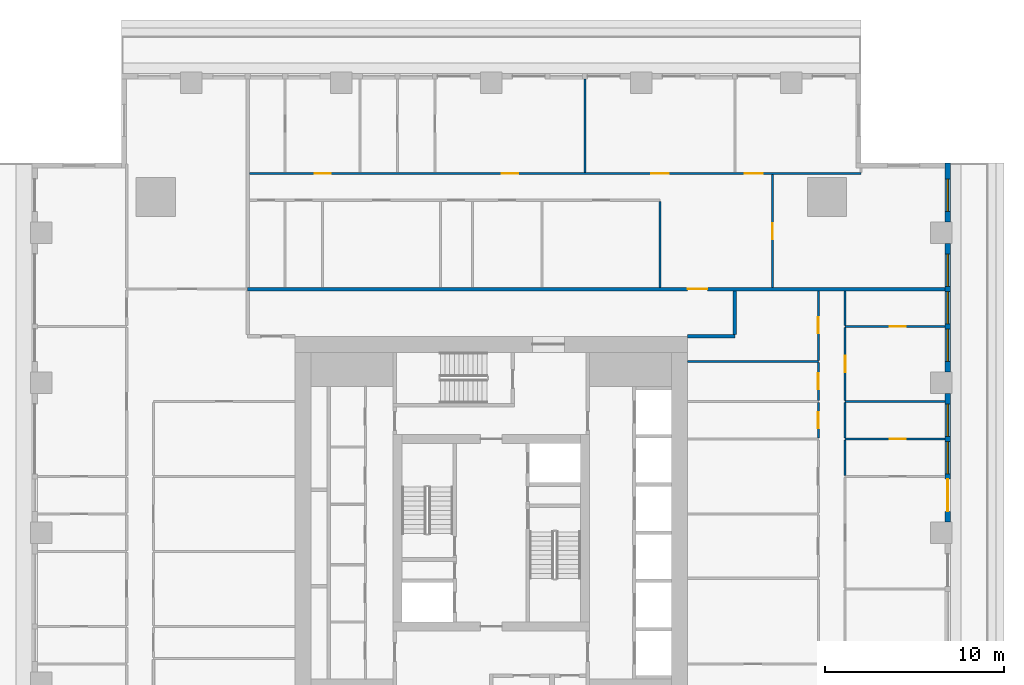
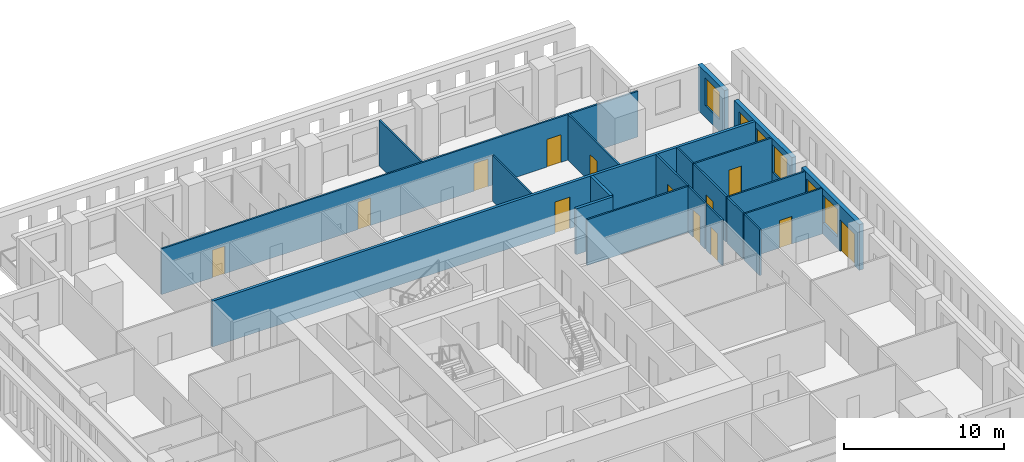
# One storey, part 8 of 14: 21 walls, 13 doors, 6 windows, 19 openings.
"""IFC4 building model written with IfcOpenShell, lengths in metres."""

from ifc_helpers import new_model, si_unit, direction, frame, frame_2d, origin, place, context, subcontext, project, spatial, rectangle, extrude, material, layer, layer_set, type_object, element, fill, save


model = new_model("IFC4")

# Units and contexts
model_context = context("Model", 3, precision=1e-05, world=origin(), true_north=direction((0.0, 1.0)))
body_context = subcontext(model_context, "Body", "Model", "MODEL_VIEW")
ifc_project = project(units=[si_unit("LENGTHUNIT", "METRE"), si_unit("AREAUNIT", "SQUARE_METRE"), si_unit("VOLUMEUNIT", "CUBIC_METRE"), si_unit("PLANEANGLEUNIT", "RADIAN"), si_unit("MASSUNIT", "GRAM", prefix="KILO")], contexts=[model_context])

# Site, building, storey
site_placement = place(None, origin())
site = spatial("IfcSite", under=ifc_project, at=site_placement, CompositionType="ELEMENT")
building_placement = place(site_placement, origin())
building = spatial("IfcBuilding", under=site, at=building_placement, Name="Khepri Terraces", CompositionType="ELEMENT")
storey_placement = place(building_placement, frame((0.0, 0.0, 267.89990234375)))
storey = spatial("IfcBuildingStorey", under=building, at=storey_placement, Name="L64", CompositionType="ELEMENT", Elevation=267.89990234375)

# Walls
ifc_material_1 = material(Name="Fire-rated gypsum plasterboard partition, mineral wool")
ifc_layer_1 = layer(ifc_material_1, 0.199951171875, Name="Fire-rated gypsum plasterboard partition, mineral wool")
ifc_layer_set_1 = layer_set([ifc_layer_1], Name="Fire-rated gypsum plasterboard partition, mineral wool")
wall_type_1 = type_object("IfcWallType", Name="WL-CORR-200", PredefinedType="PARTITIONING", material=ifc_layer_set_1)
wall_1_placement = place(storey_placement, frame((11.0, 11.0, 0.0), z_axis=(0.0, 0.0, 1.0), x_axis=(1.0, 0.0, 0.0)))
element("IfcWall", 1, at=wall_1_placement, inside=storey, type_object=wall_type_1, Name="Partition P-073 L64", PredefinedType="PARTITIONING", context=body_context, shape_type="SweptSolid", body=[
    extrude(rectangle(XDim=2.64990234375, YDim=0.199951171875, at=frame_2d((1.324951171875, 0.0))), origin(), (0.0, 0.0, 1.0), 3.47998046875),
])
wall_2_placement = place(storey_placement, frame((13.64990234375, 11.10009765625, 0.0), z_axis=(0.0, 0.0, 1.0), x_axis=(0.0, 1.0, 0.0)))
element("IfcWall", 2, at=wall_2_placement, inside=storey, type_object=wall_type_1, Name="Partition P-075 L64", PredefinedType="PARTITIONING", context=body_context, shape_type="SweptSolid", body=[
    extrude(rectangle(XDim=2.449951171875, YDim=0.199951171875, at=frame_2d((1.22509765625, 0.0))), origin(), (0.0, 0.0, 1.0), 3.47998046875),
])

# Wall, opening, door
wall_3_placement = place(storey_placement, frame((-13.64990234375, 13.64990234375, 0.0), z_axis=(0.0, 0.0, 1.0), x_axis=(1.0, 0.0, 0.0)))
wall_3 = element("IfcWall", 3, at=wall_3_placement, inside=storey, type_object=wall_type_1, Name="Partition P-081 L64", PredefinedType="PARTITIONING", context=body_context, shape_type="SweptSolid", body=[
    extrude(rectangle(XDim=39.06982421875, YDim=0.199951171875, at=frame_2d((19.534912109375, 0.0))), origin(), (0.0, 0.0, 1.0), 3.47998046875),
])
opening_1_placement = place(wall_3_placement, frame((24.64990234375, 0.0, 0.0)))
opening_1 = element("IfcOpeningElement", 4, at=opening_1_placement, cuts=wall_3, Name="Opening D1", PredefinedType="OPENING", context=body_context, shape_type="SweptSolid", body=[
    extrude(rectangle(XDim=1.10009765625, YDim=2.39990234375, at=frame_2d((0.550048828125, 1.199951171875))), frame((0.0, 0.10986328125, 0.0), z_axis=(0.0, -1.0, 0.0), x_axis=(1.0, 0.0, 0.0)), (0.0, 0.0, 1.0), 0.219970703125),
])
ifc_material_2 = material(Name="Solid-core timber door leaf, flat entrance door", Category="wood")
door_type_1 = type_object("IfcDoorType", Name="DR-ENT-1100", OperationType="NOTDEFINED", PredefinedType="DOOR", material=ifc_material_2)
door_1_placement = place(opening_1_placement, origin())
door_1 = element("IfcDoor", 5, at=door_1_placement, inside=storey, type_object=door_type_1, Name="Flat C1 entrance door", OperationType="SINGLE_SWING_RIGHT", OverallHeight=2.39990234375, OverallWidth=1.10009765625, PredefinedType="DOOR", context=body_context, shape_type="SweptSolid", body=[
    extrude(rectangle(XDim=1.10009765625, YDim=2.39990234375, at=frame_2d((0.550048828125, 1.199951171875))), frame((0.0, 0.02490234375, 0.0), z_axis=(0.0, -1.0, 0.0), x_axis=(1.0, 0.0, 0.0)), (0.0, 0.0, 1.0), 0.050048828125),
])
fill(opening_1, door_1)

# Wall, openings, door, windows
ifc_material_3 = material(Name="Precast concrete C50/60 warm stone", Category="masonry")
ifc_layer_2 = layer(ifc_material_3, 0.300048828125, Name="Precast concrete C50/60 warm stone", Category="masonry")
ifc_layer_set_2 = layer_set([ifc_layer_2], Name="Precast concrete C50/60 warm stone")
wall_type_2 = type_object("IfcWallType", Name="WL-EXT-PRECAST-300", PredefinedType="STANDARD", material=ifc_layer_set_2)
wall_4_placement = place(storey_placement, frame((25.570068359375, 0.60009765625, 0.0), z_axis=(0.0, 0.0, 1.0), x_axis=(0.0, 1.0, 0.0)))
wall_4 = element("IfcWall", 6, at=wall_4_placement, inside=storey, type_object=wall_type_2, Name="External wall L64 E", PredefinedType="STANDARD", context=body_context, shape_type="SweptSolid", body=[
    extrude(rectangle(XDim=7.199951171875, YDim=0.300048828125, at=frame_2d((3.60009765625, 0.0))), origin(), (0.0, 0.0, 1.0), 3.47998046875),
])
opening_2_placement = place(wall_4_placement, frame((0.60009765625, 0.0, 0.0)))
opening_2 = element("IfcOpeningElement", 7, at=opening_2_placement, cuts=wall_4, Name="Opening ED-L64-04", PredefinedType="OPENING", context=body_context, shape_type="SweptSolid", body=[
    extrude(rectangle(XDim=1.800048828125, YDim=2.39990234375, at=frame_2d((0.89990234375, 1.199951171875))), frame((0.0, 0.16015625, 0.0), z_axis=(0.0, -1.0, 0.0), x_axis=(1.0, 0.0, 0.0)), (0.0, 0.0, 1.0), 0.320068359375),
])
opening_3_placement = place(wall_4_placement, frame((2.699951171875, 0.0, 0.89990234375)))
opening_3 = element("IfcOpeningElement", 8, at=opening_3_placement, cuts=wall_4, Name="Opening W1", PredefinedType="OPENING", context=body_context, shape_type="SweptSolid", body=[
    extrude(rectangle(XDim=1.800048828125, YDim=2.10009765625, at=frame_2d((0.89990234375, 1.050048828125))), frame((0.0, 0.16015625, 0.0), z_axis=(0.0, -1.0, 0.0), x_axis=(1.0, 0.0, 0.0)), (0.0, 0.0, 1.0), 0.320068359375),
])
opening_4_placement = place(wall_4_placement, frame((4.800048828125, 0.0, 0.89990234375)))
opening_4 = element("IfcOpeningElement", 9, at=opening_4_placement, cuts=wall_4, Name="Opening W1", PredefinedType="OPENING", context=body_context, shape_type="SweptSolid", body=[
    extrude(rectangle(XDim=1.800048828125, YDim=2.10009765625, at=frame_2d((0.89990234375, 1.050048828125))), frame((0.0, 0.16015625, 0.0), z_axis=(0.0, -1.0, 0.0), x_axis=(1.0, 0.0, 0.0)), (0.0, 0.0, 1.0), 0.320068359375),
])
ifc_material_4 = material(Name="Anodised aluminium bronze glazed door", Category="aluminium")
door_type_2 = type_object("IfcDoorType", Name="DR-BAL-SLIDE-1800x2400", OperationType="NOTDEFINED", PredefinedType="DOOR", material=ifc_material_4)
door_2_placement = place(opening_2_placement, origin())
door_2 = element("IfcDoor", 10, at=door_2_placement, inside=storey, type_object=door_type_2, Name="Balcony door L64 E", OperationType="SLIDING_TO_LEFT", OverallHeight=2.39990234375, OverallWidth=1.800048828125, PredefinedType="DOOR", context=body_context, shape_type="SweptSolid", body=[
    extrude(rectangle(XDim=1.800048828125, YDim=2.39990234375, at=frame_2d((0.89990234375, 1.199951171875))), frame((0.0, 0.02490234375, 0.0), z_axis=(0.0, -1.0, 0.0), x_axis=(1.0, 0.0, 0.0)), (0.0, 0.0, 1.0), 0.050048828125),
])
fill(opening_2, door_2)
ifc_material_5 = material(Name="Clear glass", Category="glass")
window_type = type_object("IfcWindowType", Name="WIN-RES-1800x2100", PartitioningType="SINGLE_PANEL", PredefinedType="WINDOW", material=ifc_material_5)
window_1_placement = place(opening_3_placement, origin())
window_1 = element("IfcWindow", 11, at=window_1_placement, inside=storey, type_object=window_type, Name="Window L64 E", OverallHeight=2.10009765625, OverallWidth=1.800048828125, PartitioningType="SINGLE_PANEL", PredefinedType="WINDOW", context=body_context, shape_type="SweptSolid", body=[
    extrude(rectangle(XDim=1.800048828125, YDim=2.10009765625, at=frame_2d((0.89990234375, 1.050048828125))), frame((0.0, 0.030029296875, 0.0), z_axis=(0.0, -1.0, 0.0), x_axis=(1.0, 0.0, 0.0)), (0.0, 0.0, 1.0), 0.06005859375),
])
fill(opening_3, window_1)
window_2_placement = place(opening_4_placement, origin())
window_2 = element("IfcWindow", 12, at=window_2_placement, inside=storey, type_object=window_type, Name="Window L64 E", OverallHeight=2.10009765625, OverallWidth=1.800048828125, PartitioningType="SINGLE_PANEL", PredefinedType="WINDOW", context=body_context, shape_type="SweptSolid", body=[
    extrude(rectangle(XDim=1.800048828125, YDim=2.10009765625, at=frame_2d((0.89990234375, 1.050048828125))), frame((0.0, 0.030029296875, 0.0), z_axis=(0.0, -1.0, 0.0), x_axis=(1.0, 0.0, 0.0)), (0.0, 0.0, 1.0), 0.06005859375),
])
fill(opening_4, window_2)

# Wall, openings, windows
wall_5_placement = place(storey_placement, frame((25.570068359375, 9.0, 0.0), z_axis=(0.0, 0.0, 1.0), x_axis=(0.0, 1.0, 0.0)))
wall_5 = element("IfcWall", 13, at=wall_5_placement, inside=storey, type_object=wall_type_2, Name="External wall L64 E", PredefinedType="STANDARD", context=body_context, shape_type="SweptSolid", body=[
    extrude(rectangle(XDim=7.199951171875, YDim=0.300048828125, at=frame_2d((3.60009765625, 0.0))), origin(), (0.0, 0.0, 1.0), 3.47998046875),
])
opening_5_placement = place(wall_5_placement, frame((0.60009765625, 0.0, 0.89990234375)))
opening_5 = element("IfcOpeningElement", 14, at=opening_5_placement, cuts=wall_5, Name="Opening W1", PredefinedType="OPENING", context=body_context, shape_type="SweptSolid", body=[
    extrude(rectangle(XDim=1.800048828125, YDim=2.10009765625, at=frame_2d((0.89990234375, 1.050048828125))), frame((0.0, 0.16015625, 0.0), z_axis=(0.0, -1.0, 0.0), x_axis=(1.0, 0.0, 0.0)), (0.0, 0.0, 1.0), 0.320068359375),
])
opening_6_placement = place(wall_5_placement, frame((2.699951171875, 0.0, 0.89990234375)))
opening_6 = element("IfcOpeningElement", 15, at=opening_6_placement, cuts=wall_5, Name="Opening W1", PredefinedType="OPENING", context=body_context, shape_type="SweptSolid", body=[
    extrude(rectangle(XDim=1.800048828125, YDim=2.10009765625, at=frame_2d((0.89990234375, 1.050048828125))), frame((0.0, 0.16015625, 0.0), z_axis=(0.0, -1.0, 0.0), x_axis=(1.0, 0.0, 0.0)), (0.0, 0.0, 1.0), 0.320068359375),
])
opening_7_placement = place(wall_5_placement, frame((4.800048828125, 0.0, 0.89990234375)))
opening_7 = element("IfcOpeningElement", 16, at=opening_7_placement, cuts=wall_5, Name="Opening W1", PredefinedType="OPENING", context=body_context, shape_type="SweptSolid", body=[
    extrude(rectangle(XDim=1.800048828125, YDim=2.10009765625, at=frame_2d((0.89990234375, 1.050048828125))), frame((0.0, 0.16015625, 0.0), z_axis=(0.0, -1.0, 0.0), x_axis=(1.0, 0.0, 0.0)), (0.0, 0.0, 1.0), 0.320068359375),
])
window_3_placement = place(opening_5_placement, origin())
window_3 = element("IfcWindow", 17, at=window_3_placement, inside=storey, type_object=window_type, Name="Window L64 E", OverallHeight=2.10009765625, OverallWidth=1.800048828125, PartitioningType="SINGLE_PANEL", PredefinedType="WINDOW", context=body_context, shape_type="SweptSolid", body=[
    extrude(rectangle(XDim=1.800048828125, YDim=2.10009765625, at=frame_2d((0.89990234375, 1.050048828125))), frame((0.0, 0.030029296875, 0.0), z_axis=(0.0, -1.0, 0.0), x_axis=(1.0, 0.0, 0.0)), (0.0, 0.0, 1.0), 0.06005859375),
])
fill(opening_5, window_3)
window_4_placement = place(opening_6_placement, origin())
window_4 = element("IfcWindow", 18, at=window_4_placement, inside=storey, type_object=window_type, Name="Window L64 E", OverallHeight=2.10009765625, OverallWidth=1.800048828125, PartitioningType="SINGLE_PANEL", PredefinedType="WINDOW", context=body_context, shape_type="SweptSolid", body=[
    extrude(rectangle(XDim=1.800048828125, YDim=2.10009765625, at=frame_2d((0.89990234375, 1.050048828125))), frame((0.0, 0.030029296875, 0.0), z_axis=(0.0, -1.0, 0.0), x_axis=(1.0, 0.0, 0.0)), (0.0, 0.0, 1.0), 0.06005859375),
])
fill(opening_6, window_4)
window_5_placement = place(opening_7_placement, origin())
window_5 = element("IfcWindow", 19, at=window_5_placement, inside=storey, type_object=window_type, Name="Window L64 E", OverallHeight=2.10009765625, OverallWidth=1.800048828125, PartitioningType="SINGLE_PANEL", PredefinedType="WINDOW", context=body_context, shape_type="SweptSolid", body=[
    extrude(rectangle(XDim=1.800048828125, YDim=2.10009765625, at=frame_2d((0.89990234375, 1.050048828125))), frame((0.0, 0.030029296875, 0.0), z_axis=(0.0, -1.0, 0.0), x_axis=(1.0, 0.0, 0.0)), (0.0, 0.0, 1.0), 0.06005859375),
])
fill(opening_7, window_5)

# Wall, opening, window
wall_6_placement = place(storey_placement, frame((25.570068359375, 17.39990234375, 0.0), z_axis=(0.0, 0.0, 1.0), x_axis=(0.0, 1.0, 0.0)))
wall_6 = element("IfcWall", 20, at=wall_6_placement, inside=storey, type_object=wall_type_2, Name="External wall L64 E", PredefinedType="STANDARD", context=body_context, shape_type="SweptSolid", body=[
    extrude(rectangle(XDim=3.320068359375, YDim=0.300048828125, at=frame_2d((1.66015625, 0.0))), origin(), (0.0, 0.0, 1.0), 3.47998046875),
])
opening_8_placement = place(wall_6_placement, frame((0.60009765625, 0.0, 0.89990234375)))
opening_8 = element("IfcOpeningElement", 21, at=opening_8_placement, cuts=wall_6, Name="Opening W1", PredefinedType="OPENING", context=body_context, shape_type="SweptSolid", body=[
    extrude(rectangle(XDim=1.800048828125, YDim=2.10009765625, at=frame_2d((0.89990234375, 1.050048828125))), frame((0.0, 0.16015625, 0.0), z_axis=(0.0, -1.0, 0.0), x_axis=(1.0, 0.0, 0.0)), (0.0, 0.0, 1.0), 0.320068359375),
])
window_6_placement = place(opening_8_placement, origin())
window_6 = element("IfcWindow", 22, at=window_6_placement, inside=storey, type_object=window_type, Name="Window L64 E", OverallHeight=2.10009765625, OverallWidth=1.800048828125, PartitioningType="SINGLE_PANEL", PredefinedType="WINDOW", context=body_context, shape_type="SweptSolid", body=[
    extrude(rectangle(XDim=1.800048828125, YDim=2.10009765625, at=frame_2d((0.89990234375, 1.050048828125))), frame((0.0, 0.030029296875, 0.0), z_axis=(0.0, -1.0, 0.0), x_axis=(1.0, 0.0, 0.0)), (0.0, 0.0, 1.0), 0.06005859375),
])
fill(opening_8, window_6)

# Wall
ifc_material_6 = material(Name="Gypsum plasterboard partition")
ifc_layer_3 = layer(ifc_material_6, 0.1201171875, Name="Gypsum plasterboard partition")
ifc_layer_set_3 = layer_set([ifc_layer_3], Name="Gypsum plasterboard partition")
wall_type_3 = type_object("IfcWallType", Name="WL-PART-120", PredefinedType="PARTITIONING", material=ifc_layer_set_3)
wall_7_placement = place(storey_placement, frame((19.820068359375, 3.2099609375, 0.0), z_axis=(0.0, 0.0, 1.0), x_axis=(0.0, 1.0, 0.0)))
element("IfcWall", 23, at=wall_7_placement, inside=storey, type_object=wall_type_3, Name="Partition P-060 L64", PredefinedType="PARTITIONING", context=body_context, shape_type="SweptSolid", body=[
    extrude(rectangle(XDim=1.97998046875, YDim=0.1201171875, at=frame_2d((0.989990234375, 0.0))), origin(), (0.0, 0.0, 1.0), 3.47998046875),
])

# Wall, opening, door
wall_8_placement = place(storey_placement, frame((19.820068359375, 5.25, 0.0), z_axis=(0.0, 0.0, 1.0), x_axis=(1.0, 0.0, 0.0)))
wall_8 = element("IfcWall", 24, at=wall_8_placement, inside=storey, type_object=wall_type_3, Name="Partition P-062 L64", PredefinedType="PARTITIONING", context=body_context, shape_type="SweptSolid", body=[
    extrude(rectangle(XDim=5.599853515625, YDim=0.1201171875, at=frame_2d((2.7998046875, 0.0))), origin(), (0.0, 0.0, 1.0), 3.47998046875),
])
opening_9_placement = place(wall_8_placement, frame((2.5, 0.0, 0.0)))
opening_9 = element("IfcOpeningElement", 25, at=opening_9_placement, cuts=wall_8, Name="Opening D4", PredefinedType="OPENING", context=body_context, shape_type="SweptSolid", body=[
    extrude(rectangle(XDim=0.89990234375, YDim=2.10009765625, at=frame_2d((0.449951171875, 1.050048828125))), frame((0.0, 0.070068359375, 0.0), z_axis=(0.0, -1.0, 0.0), x_axis=(1.0, 0.0, 0.0)), (0.0, 0.0, 1.0), 0.14013671875),
])
ifc_material_7 = material(Name="Timber door leaf, moisture resistant", Category="wood")
door_type_3 = type_object("IfcDoorType", Name="DR-WET-900", OperationType="NOTDEFINED", PredefinedType="DOOR", material=ifc_material_7)
door_3_placement = place(opening_9_placement, origin())
door_3 = element("IfcDoor", 26, at=door_3_placement, inside=storey, type_object=door_type_3, Name="Door Bathroom", OperationType="SINGLE_SWING_RIGHT", OverallHeight=2.10009765625, OverallWidth=0.89990234375, PredefinedType="DOOR", context=body_context, shape_type="SweptSolid", body=[
    extrude(rectangle(XDim=0.89990234375, YDim=2.10009765625, at=frame_2d((0.449951171875, 1.050048828125))), frame((0.0, 0.02490234375, 0.0), z_axis=(0.0, -1.0, 0.0), x_axis=(1.0, 0.0, 0.0)), (0.0, 0.0, 1.0), 0.050048828125),
])
fill(opening_9, door_3)

wall_9_placement = place(storey_placement, frame((18.320068359375, 5.31005859375, 0.0), z_axis=(0.0, 0.0, 1.0), x_axis=(0.0, 1.0, 0.0)))
wall_9 = element("IfcWall", 27, at=wall_9_placement, inside=storey, type_object=wall_type_3, Name="Partition P-063 L64", PredefinedType="PARTITIONING", context=body_context, shape_type="SweptSolid", body=[
    extrude(rectangle(XDim=1.97998046875, YDim=0.1201171875, at=frame_2d((0.989990234375, 0.0))), origin(), (0.0, 0.0, 1.0), 3.47998046875),
])
opening_10_placement = place(wall_9_placement, frame((0.5400390625, 0.0, 0.0)))
opening_10 = element("IfcOpeningElement", 28, at=opening_10_placement, cuts=wall_9, Name="Opening D4", PredefinedType="OPENING", context=body_context, shape_type="SweptSolid", body=[
    extrude(rectangle(XDim=0.89990234375, YDim=2.10009765625, at=frame_2d((0.449951171875, 1.050048828125))), frame((0.0, 0.070068359375, 0.0), z_axis=(0.0, -1.0, 0.0), x_axis=(1.0, 0.0, 0.0)), (0.0, 0.0, 1.0), 0.14013671875),
])
door_4_placement = place(opening_10_placement, origin())
door_4 = element("IfcDoor", 29, at=door_4_placement, inside=storey, type_object=door_type_3, Name="Door Powder Room", OperationType="SINGLE_SWING_RIGHT", OverallHeight=2.10009765625, OverallWidth=0.89990234375, PredefinedType="DOOR", context=body_context, shape_type="SweptSolid", body=[
    extrude(rectangle(XDim=0.89990234375, YDim=2.10009765625, at=frame_2d((0.449951171875, 1.050048828125))), frame((0.0, 0.02490234375, 0.0), z_axis=(0.0, -1.0, 0.0), x_axis=(1.0, 0.0, 0.0)), (0.0, 0.0, 1.0), 0.050048828125),
])
fill(opening_10, door_4)

# Walls
wall_10_placement = place(storey_placement, frame((19.820068359375, 5.31005859375, 0.0), z_axis=(0.0, 0.0, 1.0), x_axis=(0.0, 1.0, 0.0)))
element("IfcWall", 30, at=wall_10_placement, inside=storey, type_object=wall_type_3, Name="Partition P-064 L64", PredefinedType="PARTITIONING", context=body_context, shape_type="SweptSolid", body=[
    extrude(rectangle(XDim=1.97998046875, YDim=0.1201171875, at=frame_2d((0.989990234375, 0.0))), origin(), (0.0, 0.0, 1.0), 3.47998046875),
])
wall_11_placement = place(storey_placement, frame((19.820068359375, 7.35009765625, 0.0), z_axis=(0.0, 0.0, 1.0), x_axis=(1.0, 0.0, 0.0)))
element("IfcWall", 31, at=wall_11_placement, inside=storey, type_object=wall_type_3, Name="Partition P-067 L64", PredefinedType="PARTITIONING", context=body_context, shape_type="SweptSolid", body=[
    extrude(rectangle(XDim=5.599853515625, YDim=0.1201171875, at=frame_2d((2.7998046875, 0.0))), origin(), (0.0, 0.0, 1.0), 3.47998046875),
])

# Wall, opening, door
wall_12_placement = place(storey_placement, frame((18.320068359375, 7.409912109375, 0.0), z_axis=(0.0, 0.0, 1.0), x_axis=(0.0, 1.0, 0.0)))
wall_12 = element("IfcWall", 32, at=wall_12_placement, inside=storey, type_object=wall_type_3, Name="Partition P-068 L64", PredefinedType="PARTITIONING", context=body_context, shape_type="SweptSolid", body=[
    extrude(rectangle(XDim=2.130126953125, YDim=0.1201171875, at=frame_2d((1.06494140625, 0.0))), origin(), (0.0, 0.0, 1.0), 3.47998046875),
])
opening_11_placement = place(wall_12_placement, frame((0.614990234375, 0.0, 0.0)))
opening_11 = element("IfcOpeningElement", 33, at=opening_11_placement, cuts=wall_12, Name="Opening D4", PredefinedType="OPENING", context=body_context, shape_type="SweptSolid", body=[
    extrude(rectangle(XDim=0.89990234375, YDim=2.10009765625, at=frame_2d((0.449951171875, 1.050048828125))), frame((0.0, 0.070068359375, 0.0), z_axis=(0.0, -1.0, 0.0), x_axis=(1.0, 0.0, 0.0)), (0.0, 0.0, 1.0), 0.14013671875),
])
door_5_placement = place(opening_11_placement, origin())
door_5 = element("IfcDoor", 34, at=door_5_placement, inside=storey, type_object=door_type_3, Name="Door Guest Bathroom", OperationType="SINGLE_SWING_RIGHT", OverallHeight=2.10009765625, OverallWidth=0.89990234375, PredefinedType="DOOR", context=body_context, shape_type="SweptSolid", body=[
    extrude(rectangle(XDim=0.89990234375, YDim=2.10009765625, at=frame_2d((0.449951171875, 1.050048828125))), frame((0.0, 0.02490234375, 0.0), z_axis=(0.0, -1.0, 0.0), x_axis=(1.0, 0.0, 0.0)), (0.0, 0.0, 1.0), 0.050048828125),
])
fill(opening_11, door_5)

wall_13_placement = place(storey_placement, frame((19.820068359375, 7.409912109375, 0.0), z_axis=(0.0, 0.0, 1.0), x_axis=(0.0, 1.0, 0.0)))
wall_13 = element("IfcWall", 35, at=wall_13_placement, inside=storey, type_object=wall_type_3, Name="Partition P-069 L64", PredefinedType="PARTITIONING", context=body_context, shape_type="SweptSolid", body=[
    extrude(rectangle(XDim=4.080078125, YDim=0.1201171875, at=frame_2d((2.0400390625, 0.0))), origin(), (0.0, 0.0, 1.0), 3.47998046875),
])
opening_12_placement = place(wall_13_placement, frame((1.590087890625, 0.0, 0.0)))
opening_12 = element("IfcOpeningElement", 36, at=opening_12_placement, cuts=wall_13, Name="Opening D3", PredefinedType="OPENING", context=body_context, shape_type="SweptSolid", body=[
    extrude(rectangle(XDim=0.89990234375, YDim=2.10009765625, at=frame_2d((0.449951171875, 1.050048828125))), frame((0.0, 0.070068359375, 0.0), z_axis=(0.0, -1.0, 0.0), x_axis=(1.0, 0.0, 0.0)), (0.0, 0.0, 1.0), 0.14013671875),
])
ifc_material_8 = material(Name="Timber door leaf", Category="wood")
door_type_4 = type_object("IfcDoorType", Name="DR-INT-900", OperationType="NOTDEFINED", PredefinedType="DOOR", material=ifc_material_8)
door_6_placement = place(opening_12_placement, frame((0.89990234375, 0.0, 0.0), z_axis=(0.0, 0.0, 1.0), x_axis=(-1.0, 0.0, 0.0)))
door_6 = element("IfcDoor", 37, at=door_6_placement, inside=storey, type_object=door_type_4, Name="Door Bedroom", OperationType="SINGLE_SWING_RIGHT", OverallHeight=2.10009765625, OverallWidth=0.89990234375, PredefinedType="DOOR", context=body_context, shape_type="SweptSolid", body=[
    extrude(rectangle(XDim=0.89990234375, YDim=2.10009765625, at=frame_2d((0.449951171875, 1.050048828125))), frame((0.0, 0.02490234375, 0.0), z_axis=(0.0, -1.0, 0.0), x_axis=(1.0, 0.0, 0.0)), (0.0, 0.0, 1.0), 0.050048828125),
])
fill(opening_12, door_6)

# Wall
wall_14_placement = place(storey_placement, frame((11.0, 9.60009765625, 0.0), z_axis=(0.0, 0.0, 1.0), x_axis=(1.0, 0.0, 0.0)))
element("IfcWall", 38, at=wall_14_placement, inside=storey, type_object=wall_type_3, Name="Partition P-070 L64", PredefinedType="PARTITIONING", context=body_context, shape_type="SweptSolid", body=[
    extrude(rectangle(XDim=7.320068359375, YDim=0.1201171875, at=frame_2d((3.66015625, 0.0))), origin(), (0.0, 0.0, 1.0), 3.47998046875),
])

# Wall, opening, door
wall_15_placement = place(storey_placement, frame((18.320068359375, 9.659912109375, 0.0), z_axis=(0.0, 0.0, 1.0), x_axis=(0.0, 1.0, 0.0)))
wall_15 = element("IfcWall", 39, at=wall_15_placement, inside=storey, type_object=wall_type_3, Name="Partition P-071 L64", PredefinedType="PARTITIONING", context=body_context, shape_type="SweptSolid", body=[
    extrude(rectangle(XDim=3.89013671875, YDim=0.1201171875, at=frame_2d((1.945068359375, 0.0))), origin(), (0.0, 0.0, 1.0), 3.47998046875),
])
opening_13_placement = place(wall_15_placement, frame((1.514892578125, 0.0, 0.0)))
opening_13 = element("IfcOpeningElement", 40, at=opening_13_placement, cuts=wall_15, Name="Opening D3", PredefinedType="OPENING", context=body_context, shape_type="SweptSolid", body=[
    extrude(rectangle(XDim=0.89990234375, YDim=2.10009765625, at=frame_2d((0.449951171875, 1.050048828125))), frame((0.0, 0.070068359375, 0.0), z_axis=(0.0, -1.0, 0.0), x_axis=(1.0, 0.0, 0.0)), (0.0, 0.0, 1.0), 0.14013671875),
])
door_7_placement = place(opening_13_placement, origin())
door_7 = element("IfcDoor", 41, at=door_7_placement, inside=storey, type_object=door_type_4, Name="Door Library", OperationType="SINGLE_SWING_RIGHT", OverallHeight=2.10009765625, OverallWidth=0.89990234375, PredefinedType="DOOR", context=body_context, shape_type="SweptSolid", body=[
    extrude(rectangle(XDim=0.89990234375, YDim=2.10009765625, at=frame_2d((0.449951171875, 1.050048828125))), frame((0.0, 0.02490234375, 0.0), z_axis=(0.0, -1.0, 0.0), x_axis=(1.0, 0.0, 0.0)), (0.0, 0.0, 1.0), 0.050048828125),
])
fill(opening_13, door_7)

wall_16_placement = place(storey_placement, frame((19.820068359375, 11.550048828125, 0.0), z_axis=(0.0, 0.0, 1.0), x_axis=(1.0, 0.0, 0.0)))
wall_16 = element("IfcWall", 42, at=wall_16_placement, inside=storey, type_object=wall_type_3, Name="Partition P-077 L64", PredefinedType="PARTITIONING", context=body_context, shape_type="SweptSolid", body=[
    extrude(rectangle(XDim=5.599853515625, YDim=0.1201171875, at=frame_2d((2.7998046875, 0.0))), origin(), (0.0, 0.0, 1.0), 3.47998046875),
])
opening_14_placement = place(wall_16_placement, frame((2.5, 0.0, 0.0)))
opening_14 = element("IfcOpeningElement", 43, at=opening_14_placement, cuts=wall_16, Name="Opening D4", PredefinedType="OPENING", context=body_context, shape_type="SweptSolid", body=[
    extrude(rectangle(XDim=0.89990234375, YDim=2.10009765625, at=frame_2d((0.449951171875, 1.050048828125))), frame((0.0, 0.070068359375, 0.0), z_axis=(0.0, -1.0, 0.0), x_axis=(1.0, 0.0, 0.0)), (0.0, 0.0, 1.0), 0.14013671875),
])
door_8_placement = place(opening_14_placement, origin())
door_8 = element("IfcDoor", 44, at=door_8_placement, inside=storey, type_object=door_type_3, Name="Door Bathroom", OperationType="SINGLE_SWING_RIGHT", OverallHeight=2.10009765625, OverallWidth=0.89990234375, PredefinedType="DOOR", context=body_context, shape_type="SweptSolid", body=[
    extrude(rectangle(XDim=0.89990234375, YDim=2.10009765625, at=frame_2d((0.449951171875, 1.050048828125))), frame((0.0, 0.02490234375, 0.0), z_axis=(0.0, -1.0, 0.0), x_axis=(1.0, 0.0, 0.0)), (0.0, 0.0, 1.0), 0.050048828125),
])
fill(opening_14, door_8)

# Walls
wall_17_placement = place(storey_placement, frame((19.820068359375, 11.610107421875, 0.0), z_axis=(0.0, 0.0, 1.0), x_axis=(0.0, 1.0, 0.0)))
element("IfcWall", 45, at=wall_17_placement, inside=storey, type_object=wall_type_3, Name="Partition P-079 L64", PredefinedType="PARTITIONING", context=body_context, shape_type="SweptSolid", body=[
    extrude(rectangle(XDim=1.93994140625, YDim=0.1201171875, at=frame_2d((0.969970703125, 0.0))), origin(), (0.0, 0.0, 1.0), 3.47998046875),
])
wall_18_placement = place(storey_placement, frame((9.449951171875, 13.75, 0.0), z_axis=(0.0, 0.0, 1.0), x_axis=(0.0, 1.0, 0.0)))
element("IfcWall", 46, at=wall_18_placement, inside=storey, type_object=wall_type_3, Name="Partition P-089 L64", PredefinedType="PARTITIONING", context=body_context, shape_type="SweptSolid", body=[
    extrude(rectangle(XDim=4.81005859375, YDim=0.1201171875, at=frame_2d((2.405029296875, 0.0))), origin(), (0.0, 0.0, 1.0), 3.47998046875),
])

# Wall, opening, door
wall_19_placement = place(storey_placement, frame((15.75, 13.75, 0.0), z_axis=(0.0, 0.0, 1.0), x_axis=(0.0, 1.0, 0.0)))
wall_19 = element("IfcWall", 47, at=wall_19_placement, inside=storey, type_object=wall_type_3, Name="Partition P-090 L64", PredefinedType="PARTITIONING", context=body_context, shape_type="SweptSolid", body=[
    extrude(rectangle(XDim=6.31005859375, YDim=0.1201171875, at=frame_2d((3.155029296875, 0.0))), origin(), (0.0, 0.0, 1.0), 3.47998046875),
])
opening_15_placement = place(wall_19_placement, frame((2.68505859375, 0.0, 0.0)))
opening_15 = element("IfcOpeningElement", 48, at=opening_15_placement, cuts=wall_19, Name="Opening D3", PredefinedType="OPENING", context=body_context, shape_type="SweptSolid", body=[
    extrude(rectangle(XDim=0.89990234375, YDim=2.10009765625, at=frame_2d((0.449951171875, 1.050048828125))), frame((0.0, 0.070068359375, 0.0), z_axis=(0.0, -1.0, 0.0), x_axis=(1.0, 0.0, 0.0)), (0.0, 0.0, 1.0), 0.14013671875),
])
door_9_placement = place(opening_15_placement, frame((0.89990234375, 0.0, 0.0), z_axis=(0.0, 0.0, 1.0), x_axis=(-1.0, 0.0, 0.0)))
door_9 = element("IfcDoor", 49, at=door_9_placement, inside=storey, type_object=door_type_4, Name="Door Home Cinema", OperationType="SINGLE_SWING_RIGHT", OverallHeight=2.10009765625, OverallWidth=0.89990234375, PredefinedType="DOOR", context=body_context, shape_type="SweptSolid", body=[
    extrude(rectangle(XDim=0.89990234375, YDim=2.10009765625, at=frame_2d((0.449951171875, 1.050048828125))), frame((0.0, 0.02490234375, 0.0), z_axis=(0.0, -1.0, 0.0), x_axis=(1.0, 0.0, 0.0)), (0.0, 0.0, 1.0), 0.050048828125),
])
fill(opening_15, door_9)

# Wall, openings, doors
wall_20_placement = place(storey_placement, frame((-13.550048828125, 20.1201171875, 0.0), z_axis=(0.0, 0.0, 1.0), x_axis=(1.0, 0.0, 0.0)))
wall_20 = element("IfcWall", 50, at=wall_20_placement, inside=storey, type_object=wall_type_3, Name="Partition P-092 L64", PredefinedType="PARTITIONING", context=body_context, shape_type="SweptSolid", body=[
    extrude(rectangle(XDim=34.26904296875, YDim=0.1201171875, at=frame_2d((17.134521484375, 0.0))), origin(), (0.0, 0.0, 1.0), 3.47998046875),
])
opening_16_placement = place(wall_20_placement, frame((27.75, 0.0, 0.0)))
opening_16 = element("IfcOpeningElement", 51, at=opening_16_placement, cuts=wall_20, Name="Opening D2", PredefinedType="OPENING", context=body_context, shape_type="SweptSolid", body=[
    extrude(rectangle(XDim=1.0, YDim=2.10009765625, at=frame_2d((0.5, 1.050048828125))), frame((0.0, 0.070068359375, 0.0), z_axis=(0.0, -1.0, 0.0), x_axis=(1.0, 0.0, 0.0)), (0.0, 0.0, 1.0), 0.14013671875),
])
opening_17_placement = place(wall_20_placement, frame((22.5, 0.0, 0.0)))
opening_17 = element("IfcOpeningElement", 52, at=opening_17_placement, cuts=wall_20, Name="Opening D2", PredefinedType="OPENING", context=body_context, shape_type="SweptSolid", body=[
    extrude(rectangle(XDim=1.0, YDim=2.10009765625, at=frame_2d((0.5, 1.050048828125))), frame((0.0, 0.070068359375, 0.0), z_axis=(0.0, -1.0, 0.0), x_axis=(1.0, 0.0, 0.0)), (0.0, 0.0, 1.0), 0.14013671875),
])
opening_18_placement = place(wall_20_placement, frame((14.14990234375, 0.0, 0.0)))
opening_18 = element("IfcOpeningElement", 53, at=opening_18_placement, cuts=wall_20, Name="Opening D3", PredefinedType="OPENING", context=body_context, shape_type="SweptSolid", body=[
    extrude(rectangle(XDim=0.89990234375, YDim=2.10009765625, at=frame_2d((0.449951171875, 1.050048828125))), frame((0.0, 0.070068359375, 0.0), z_axis=(0.0, -1.0, 0.0), x_axis=(1.0, 0.0, 0.0)), (0.0, 0.0, 1.0), 0.14013671875),
])
opening_19_placement = place(wall_20_placement, frame((3.64990234375, 0.0, 0.0)))
opening_19 = element("IfcOpeningElement", 54, at=opening_19_placement, cuts=wall_20, Name="Opening D3", PredefinedType="OPENING", context=body_context, shape_type="SweptSolid", body=[
    extrude(rectangle(XDim=0.89990234375, YDim=2.10009765625, at=frame_2d((0.449951171875, 1.050048828125))), frame((0.0, 0.070068359375, 0.0), z_axis=(0.0, -1.0, 0.0), x_axis=(1.0, 0.0, 0.0)), (0.0, 0.0, 1.0), 0.14013671875),
])
ifc_material_9 = material(Name="Timber door leaf, living room door", Category="wood")
door_type_5 = type_object("IfcDoorType", Name="DR-INT-1000", OperationType="NOTDEFINED", PredefinedType="DOOR", material=ifc_material_9)
door_10_placement = place(opening_16_placement, origin())
door_10 = element("IfcDoor", 55, at=door_10_placement, inside=storey, type_object=door_type_5, Name="Door Sun Lounge", OperationType="SINGLE_SWING_RIGHT", OverallHeight=2.10009765625, OverallWidth=1.0, PredefinedType="DOOR", context=body_context, shape_type="SweptSolid", body=[
    extrude(rectangle(XDim=1.0, YDim=2.10009765625, at=frame_2d((0.5, 1.050048828125))), frame((0.0, 0.02490234375, 0.0), z_axis=(0.0, -1.0, 0.0), x_axis=(1.0, 0.0, 0.0)), (0.0, 0.0, 1.0), 0.050048828125),
])
fill(opening_16, door_10)
door_11_placement = place(opening_17_placement, origin())
door_11 = element("IfcDoor", 56, at=door_11_placement, inside=storey, type_object=door_type_5, Name="Door Living Room", OperationType="SINGLE_SWING_RIGHT", OverallHeight=2.10009765625, OverallWidth=1.0, PredefinedType="DOOR", context=body_context, shape_type="SweptSolid", body=[
    extrude(rectangle(XDim=1.0, YDim=2.10009765625, at=frame_2d((0.5, 1.050048828125))), frame((0.0, 0.02490234375, 0.0), z_axis=(0.0, -1.0, 0.0), x_axis=(1.0, 0.0, 0.0)), (0.0, 0.0, 1.0), 0.050048828125),
])
fill(opening_17, door_11)
door_12_placement = place(opening_18_placement, origin())
door_12 = element("IfcDoor", 57, at=door_12_placement, inside=storey, type_object=door_type_4, Name="Door Master Bedroom", OperationType="SINGLE_SWING_LEFT", OverallHeight=2.10009765625, OverallWidth=0.89990234375, PredefinedType="DOOR", context=body_context, shape_type="SweptSolid", body=[
    extrude(rectangle(XDim=0.89990234375, YDim=2.10009765625, at=frame_2d((0.449951171875, 1.050048828125))), frame((0.0, 0.02490234375, 0.0), z_axis=(0.0, -1.0, 0.0), x_axis=(1.0, 0.0, 0.0)), (0.0, 0.0, 1.0), 0.050048828125),
])
fill(opening_18, door_12)
door_13_placement = place(opening_19_placement, origin())
door_13 = element("IfcDoor", 58, at=door_13_placement, inside=storey, type_object=door_type_4, Name="Door Bedroom", OperationType="SINGLE_SWING_LEFT", OverallHeight=2.10009765625, OverallWidth=0.89990234375, PredefinedType="DOOR", context=body_context, shape_type="SweptSolid", body=[
    extrude(rectangle(XDim=0.89990234375, YDim=2.10009765625, at=frame_2d((0.449951171875, 1.050048828125))), frame((0.0, 0.02490234375, 0.0), z_axis=(0.0, -1.0, 0.0), x_axis=(1.0, 0.0, 0.0)), (0.0, 0.0, 1.0), 0.050048828125),
])
fill(opening_19, door_13)

# Wall
wall_21_placement = place(storey_placement, frame((5.25, 20.179931640625, 0.0), z_axis=(0.0, 0.0, 1.0), x_axis=(0.0, 1.0, 0.0)))
element("IfcWall", 59, at=wall_21_placement, inside=storey, type_object=wall_type_3, Name="Partition P-097 L64", PredefinedType="PARTITIONING", context=body_context, shape_type="SweptSolid", body=[
    extrude(rectangle(XDim=5.239990234375, YDim=0.1201171875, at=frame_2d((2.6201171875, 0.0))), origin(), (0.0, 0.0, 1.0), 3.47998046875),
])

save(model, "model.ifc")
